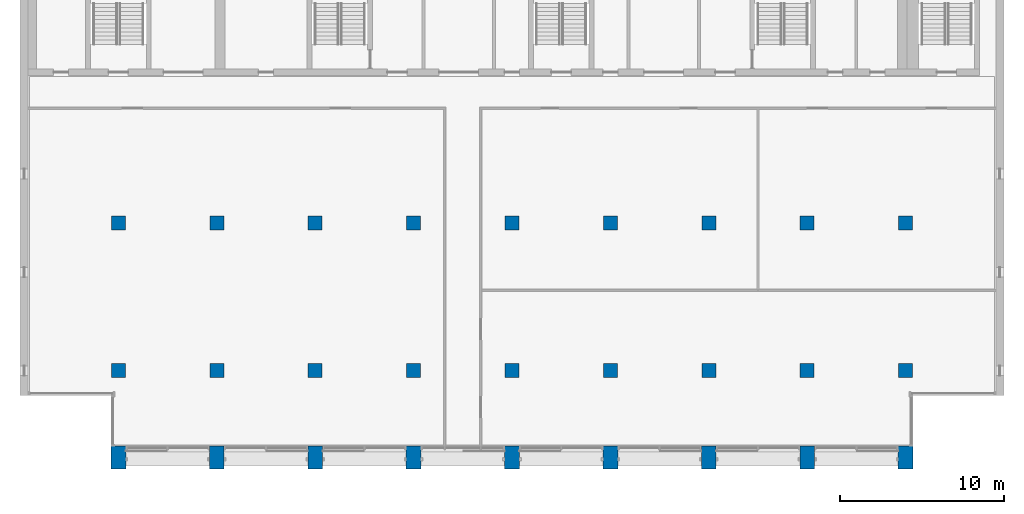
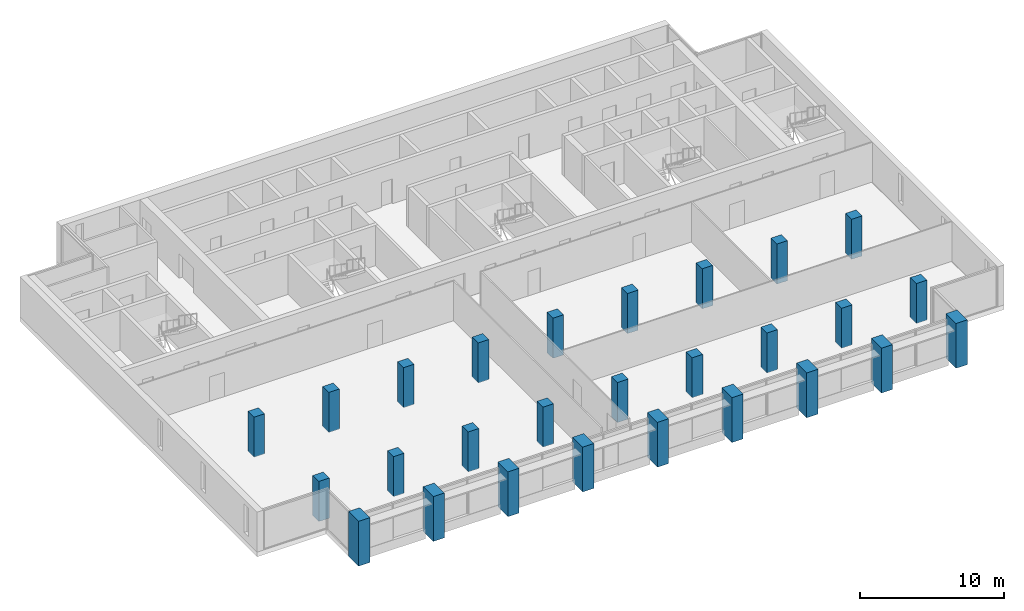
# One storey, part 1 of 14: 27 columns.
"""IFC4 building model written with IfcOpenShell, lengths in metres."""

from ifc_helpers import new_model, si_unit, direction, frame, origin, origin_2d, place, context, subcontext, project, spatial, rectangle, extrude, material, material_profile, profile_set, type_object, element, save


model = new_model("IFC4")

# Units and contexts
model_context = context("Model", 3, precision=1e-05, world=origin(), true_north=direction((0.0, 1.0)))
body_context = subcontext(model_context, "Body", "Model", "MODEL_VIEW")
ifc_project = project(units=[si_unit("LENGTHUNIT", "METRE"), si_unit("AREAUNIT", "SQUARE_METRE"), si_unit("VOLUMEUNIT", "CUBIC_METRE"), si_unit("PLANEANGLEUNIT", "RADIAN"), si_unit("MASSUNIT", "GRAM", prefix="KILO")], contexts=[model_context])

# Site, building, storey
site_placement = place(None, origin())
site = spatial("IfcSite", under=ifc_project, at=site_placement, CompositionType="ELEMENT")
building_placement = place(site_placement, origin())
building = spatial("IfcBuilding", under=site, at=building_placement, Name="Calvaro Tower", CompositionType="ELEMENT")
storey_placement = place(building_placement, frame((0.0, 0.0, 246.949951171875)))
storey = spatial("IfcBuildingStorey", under=building, at=storey_placement, Name="L62", CompositionType="ELEMENT", Elevation=246.949951171875)

# Columns
ifc_material_1 = material(Name="Concrete C40/50", Category="concrete")
ifc_material_profile_1 = material_profile(ifc_material_1, rectangle(XDim=0.85009765625, YDim=0.85009765625, at=origin_2d()), Name="RC 850x850")
ifc_profile_set_1 = profile_set([ifc_material_profile_1], Name="Concrete C40/50")
column_type_1 = type_object("IfcColumnType", Name="Column 850x850 C40/50", PredefinedType="COLUMN", material=ifc_profile_set_1)
for number, where, z_axis, x_axis, name in (
    (1, (12.0, 10.0, 0.0), (0.0, 0.0, 1.0), (1.0, 0.0, 0.0), "Column 3B"),
    (2, (12.0, 19.0, 0.0), (0.0, 0.0, 1.0), (1.0, 0.0, 0.0), "Column 3C"),
    (3, (18.0, 10.0, 0.0), (0.0, 0.0, 1.0), (1.0, 0.0, 0.0), "Column 4B"),
    (4, (18.0, 19.0, 0.0), (0.0, 0.0, 1.0), (1.0, 0.0, 0.0), "Column 4C"),
    (5, (24.0, 10.0, 0.0), (0.0, 0.0, 1.0), (1.0, 0.0, 0.0), "Column 5B"),
    (6, (24.0, 19.0, 0.0), (0.0, 0.0, 1.0), (1.0, 0.0, 0.0), "Column 5C"),
    (7, (30.0, 10.0, 0.0), (0.0, 0.0, 1.0), (1.0, 0.0, 0.0), "Column 6B"),
    (8, (30.0, 19.0, 0.0), (0.0, 0.0, 1.0), (1.0, 0.0, 0.0), "Column 6C"),
    (9, (36.0, 10.0, 0.0), (0.0, 0.0, 1.0), (1.0, 0.0, 0.0), "Column 7B"),
    (10, (36.0, 19.0, 0.0), (0.0, 0.0, 1.0), (1.0, 0.0, 0.0), "Column 7C"),
    (11, (42.0, 10.0, 0.0), (0.0, 0.0, 1.0), (1.0, 0.0, 0.0), "Column 8B"),
    (12, (42.0, 19.0, 0.0), (0.0, 0.0, 1.0), (1.0, 0.0, 0.0), "Column 8C"),
    (13, (48.0, 10.0, 0.0), (0.0, 0.0, 1.0), (1.0, 0.0, 0.0), "Column 9B"),
    (14, (48.0, 19.0, 0.0), (0.0, 0.0, 1.0), (1.0, 0.0, 0.0), "Column 9C"),
    (15, (54.0, 10.0, 0.0), (0.0, 0.0, 1.0), (1.0, 0.0, 0.0), "Column 10B"),
    (16, (54.0, 19.0, 0.0), (0.0, 0.0, 1.0), (1.0, 0.0, 0.0), "Column 10C"),
    (17, (60.0, 10.0, 0.0), (0.0, 0.0, 1.0), (1.0, 0.0, 0.0), "Column 11B"),
    (18, (60.0, 19.0, 0.0), (0.0, 0.0, 1.0), (1.0, 0.0, 0.0), "Column 11C"),
):
    element("IfcColumn", number, at=place(storey_placement, frame(where, z_axis=z_axis, x_axis=x_axis)), inside=storey, type_object=column_type_1, Name=name, PredefinedType="COLUMN", context=body_context, shape_type="SweptSolid", body=[
        extrude(rectangle(XDim=0.85009765625, YDim=0.85009765625, at=origin_2d()), origin(), (0.0, 0.0, 1.0), 3.400146484375),
    ])
ifc_material_2 = material(Name="Concrete C40/50", Category="concrete")
ifc_material_profile_2 = material_profile(ifc_material_2, rectangle(XDim=0.89990234375, YDim=1.39990234375, at=origin_2d()), Name="RC 900x1400")
ifc_profile_set_2 = profile_set([ifc_material_profile_2], Name="Concrete C40/50")
column_type_2 = type_object("IfcColumnType", Name="Pier 900x1400 C40/50", PredefinedType="COLUMN", material=ifc_profile_set_2)
for number, where, z_axis, x_axis, name in (
    (19, (12.0, 4.699951171875, -0.39990234375), (0.0, 0.0, 1.0), (1.0, 0.0, 0.0), "South pier 3"),
    (20, (18.0, 4.699951171875, -0.39990234375), (0.0, 0.0, 1.0), (1.0, 0.0, 0.0), "South pier 4"),
    (21, (24.0, 4.699951171875, -0.39990234375), (0.0, 0.0, 1.0), (1.0, 0.0, 0.0), "South pier 5"),
    (22, (30.0, 4.699951171875, -0.39990234375), (0.0, 0.0, 1.0), (1.0, 0.0, 0.0), "South pier 6"),
    (23, (36.0, 4.699951171875, -0.39990234375), (0.0, 0.0, 1.0), (1.0, 0.0, 0.0), "South pier 7"),
    (24, (42.0, 4.699951171875, -0.39990234375), (0.0, 0.0, 1.0), (1.0, 0.0, 0.0), "South pier 8"),
    (25, (48.0, 4.699951171875, -0.39990234375), (0.0, 0.0, 1.0), (1.0, 0.0, 0.0), "South pier 9"),
    (26, (54.0, 4.699951171875, -0.39990234375), (0.0, 0.0, 1.0), (1.0, 0.0, 0.0), "South pier 10"),
    (27, (60.0, 4.699951171875, -0.39990234375), (0.0, 0.0, 1.0), (1.0, 0.0, 0.0), "South pier 11"),
):
    element("IfcColumn", number, at=place(storey_placement, frame(where, z_axis=z_axis, x_axis=x_axis)), inside=storey, type_object=column_type_2, Name=name, PredefinedType="COLUMN", context=body_context, shape_type="SweptSolid", body=[
        extrude(rectangle(XDim=0.89990234375, YDim=1.39990234375, at=origin_2d()), origin(), (0.0, 0.0, 1.0), 3.800048828125),
    ])

save(model, "model.ifc")
